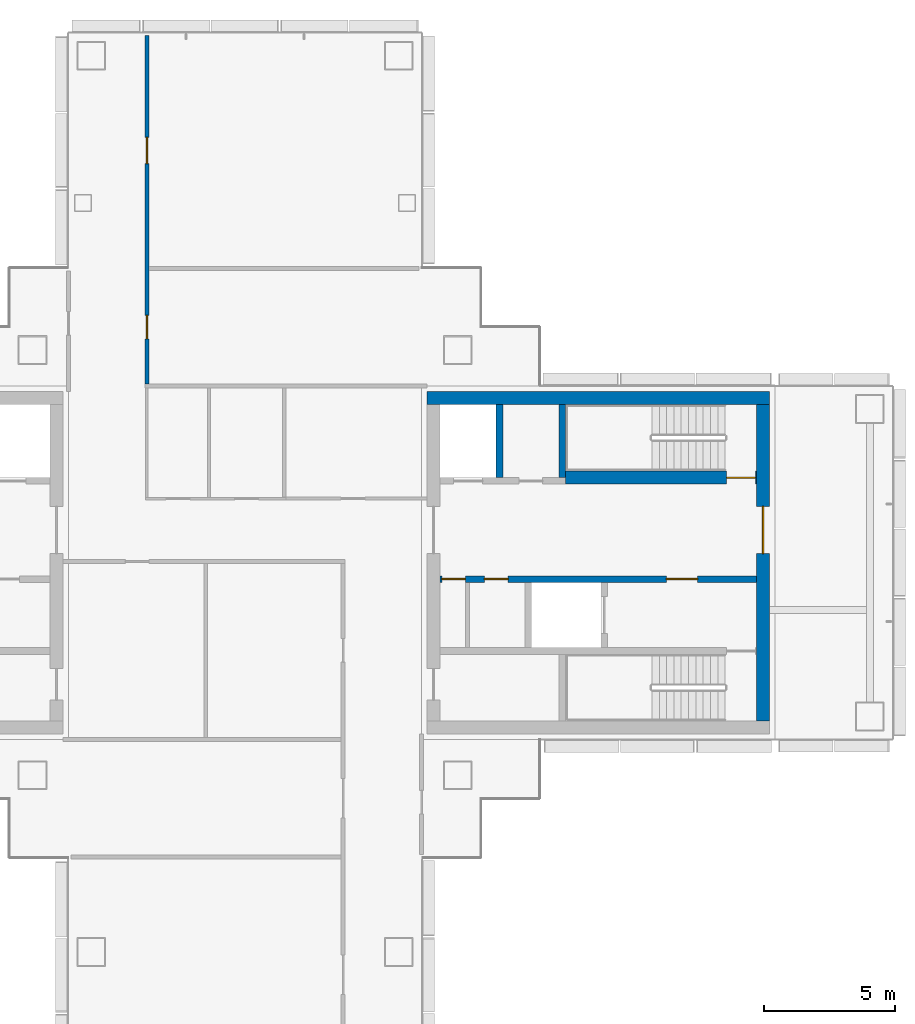
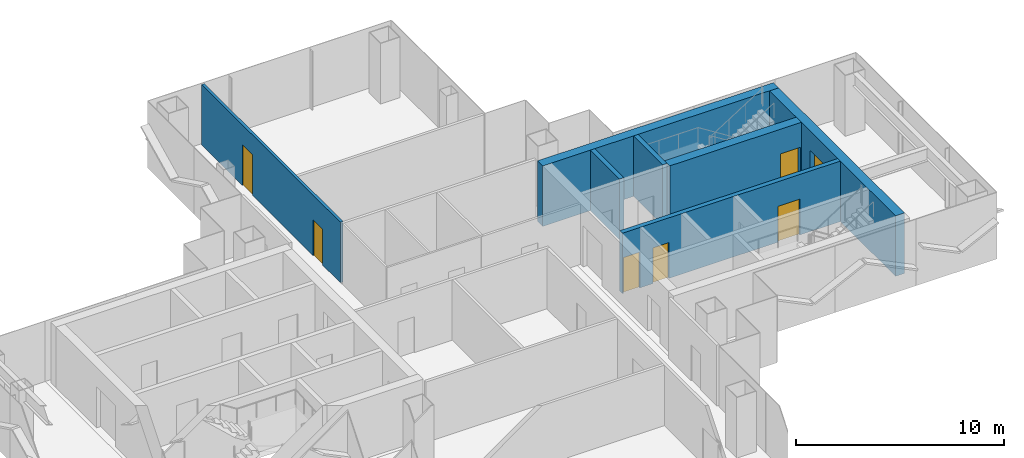
# One storey, part 12 of 16: 7 doors, 7 walls, 7 openings.
"""IFC4 building model written with IfcOpenShell, lengths in metres."""

import ifcopenshell
import ifcopenshell.guid

model = None  # the IFC model being written
_history = None  # IfcOwnerHistory: only IFC2X3 demands one
_inside = {}  # id of a spatial element -> (the spatial element, [elements in it])
_under = {}  # id of a project, library or spatial element -> (it, [spatial elements below it])
_declared = {}  # id of a project -> (the project, [libraries it declares])
_typed = {}  # id of a type object -> (the type object, [elements of that type])
_made_of = {}  # id of a material, layer set ... -> (it, [elements and type objects made of it])


def new_model(schema):
    """Start an empty IFC model of exactly this schema.

    Asked for "IFC4X3", IfcOpenShell would pick the latest addendum, in which some entities
    have other attributes; the version numbers below select the first issue.
    IFC2X3 requires an IfcOwnerHistory on every rooted entity: one is made here for all.
    """
    global model, _history
    if schema == "IFC4X3":
        model = ifcopenshell.file(schema_version=(4, 3, 0, 0))
    else:
        model = ifcopenshell.file(schema=schema)
    _inside.clear()
    _under.clear()
    _declared.clear()
    _typed.clear()
    _made_of.clear()
    _history = None
    if model.schema == "IFC2X3":
        org = make("IfcOrganization", Name="unknown")
        user = make(
            "IfcPersonAndOrganization",
            ThePerson=make("IfcPerson", FamilyName="unknown"),
            TheOrganization=org,
        )
        app = make(
            "IfcApplication",
            ApplicationDeveloper=org,
            Version="unknown",
            ApplicationFullName="unknown",
            ApplicationIdentifier="unknown",
        )
        _history = make(
            "IfcOwnerHistory",
            OwningUser=user,
            OwningApplication=app,
            ChangeAction="ADDED",
            CreationDate=0,
        )
    return model


def make(cls, **values):
    """One entity of the class cls with the attributes given. An attribute that is None is left unset."""
    return model.create_entity(
        cls, **{name: value for name, value in values.items() if value is not None}
    )


def rooted(cls, **values):
    """An entity with a GlobalId (a new one), such as an element, a storey or a relation."""
    return make(cls, GlobalId=ifcopenshell.guid.new(), OwnerHistory=_history, **values)


def si_unit(unit_type, name, prefix=None):
    """IfcSIUnit, for example si_unit("LENGTHUNIT", "METRE", prefix="MILLI")."""
    return make("IfcSIUnit", UnitType=unit_type, Prefix=prefix, Name=name)


def assignment(units):
    """IfcUnitAssignment: the units of a project."""
    return None if units is None else make("IfcUnitAssignment", Units=units)


def point(xyz):
    """IfcCartesianPoint."""
    return None if xyz is None else make("IfcCartesianPoint", Coordinates=xyz)


def direction(xyz):
    """IfcDirection."""
    return None if xyz is None else make("IfcDirection", DirectionRatios=xyz)


def frame(location, z_axis=None, x_axis=None):
    """IfcAxis2Placement3D, a coordinate frame: its origin and axes. An axis left out is left unset."""
    return make(
        "IfcAxis2Placement3D",
        Location=point(location),
        Axis=direction(z_axis),
        RefDirection=direction(x_axis),
    )


def frame_2d(location, x_axis=None):
    """IfcAxis2Placement2D, a coordinate frame in the plane: its origin and x axis."""
    return make(
        "IfcAxis2Placement2D", Location=point(location), RefDirection=direction(x_axis)
    )


def origin():
    """The frame at (0, 0, 0) with its axes left unset."""
    return frame((0.0, 0.0, 0.0))


def place(relative_to, where):
    """IfcLocalPlacement: puts the frame where relative to a parent placement (None: the world)."""
    return make(
        "IfcLocalPlacement", PlacementRelTo=relative_to, RelativePlacement=where
    )


def context(
    kind, dimensions, precision=None, world=None, true_north=None, identifier=None
):
    """IfcGeometricRepresentationContext, for example the 3D "Model" context."""
    return make(
        "IfcGeometricRepresentationContext",
        ContextIdentifier=identifier,
        ContextType=kind,
        CoordinateSpaceDimension=dimensions,
        Precision=precision,
        WorldCoordinateSystem=world,
        TrueNorth=true_north,
    )


def subcontext(parent, identifier, kind, view, scale=None):
    """IfcGeometricRepresentationSubContext, for example "Body" below "Model"."""
    return make(
        "IfcGeometricRepresentationSubContext",
        ContextIdentifier=identifier,
        ContextType=kind,
        ParentContext=parent,
        TargetScale=scale,
        TargetView=view,
    )


def project(units=None, contexts=None):
    """IfcProject with its units and contexts."""
    return rooted(
        "IfcProject",
        Name="project",
        RepresentationContexts=contexts,
        UnitsInContext=assignment(units),
    )


def spatial(cls, under=None, at=None, **own):
    """A site, building, storey or space (cls), placed at a placement, below another one or the project."""
    s = rooted(cls, ObjectPlacement=at, **own)
    if under is not None:
        _under.setdefault(under.id(), (under, []))[1].append(s)
    return s


def profile(cls, at=None, kind="AREA", **sizes):
    """A parametric profile (cls). Its sizes go by their IFC names, for example OverallWidth=200.0."""
    return make(cls, ProfileType=kind, Position=at, **sizes)


def rectangle(**sizes):
    """IfcRectangleProfileDef."""
    return profile("IfcRectangleProfileDef", **sizes)


def extrude(swept, where, along, depth):
    """IfcExtrudedAreaSolid: the profile swept, set in the frame where, extruded along a direction by depth."""
    return make(
        "IfcExtrudedAreaSolid",
        SweptArea=swept,
        Position=where,
        ExtrudedDirection=direction(along),
        Depth=depth,
    )


def shape(context_of_items, identifier, shape_type, items):
    """IfcShapeRepresentation: the items that make up one representation, for example the "Body"."""
    return make(
        "IfcShapeRepresentation",
        ContextOfItems=context_of_items,
        RepresentationIdentifier=identifier,
        RepresentationType=shape_type,
        Items=items,
    )


def material(Name=None, Category=None):
    """IfcMaterial."""
    return make("IfcMaterial", Name=Name, Category=Category)


def layer(
    of_material, thickness, ventilated=None, Name=None, Category=None, Priority=None
):
    """IfcMaterialLayer: one layer of a wall or slab, of a material (None: an air gap)."""
    return make(
        "IfcMaterialLayer",
        Material=of_material,
        LayerThickness=thickness,
        IsVentilated=ventilated,
        Name=Name,
        Category=Category,
        Priority=Priority,
    )


def layer_set(layers, Name=None):
    """IfcMaterialLayerSet."""
    return make("IfcMaterialLayerSet", MaterialLayers=layers, LayerSetName=Name)


def made_of(thing, what):
    """Note that an element or type object is made of a material, layer set ...; save() writes the relation."""
    if what is not None:
        _made_of.setdefault(what.id(), (what, []))[1].append(thing)
    return thing


def type_object(cls, material=None, **own):
    """A type object (cls), such as IfcWallType, which elements share."""
    return made_of(rooted(cls, **own), material)


def element(
    cls,
    number,
    at=None,
    inside=None,
    cuts=None,
    type_object=None,
    material=None,
    context=None,
    identifier="Body",
    shape_type=None,
    held_by="IfcProductDefinitionShape",
    body=None,
    shapes=None,
    **own,
):
    """One element of the class cls, such as IfcWall. Its Tag is "e" and its number.

    at: its placement. inside: the storey or other place that contains it. cuts: it is an
    opening in that element (IfcRelVoidsElement). A single representation is given by context,
    identifier, shape_type and body (its items); several are given by shapes. held_by: the class
    of the entity that holds the representations. save() writes the other relations.
    """
    e = rooted(cls, Tag="e%d" % number, ObjectPlacement=at, **own)
    if body is not None:
        shapes = [shape(context, identifier, shape_type, body)]
    if shapes is not None:
        e.Representation = make(held_by, Representations=shapes)
    if inside is not None:
        _inside.setdefault(inside.id(), (inside, []))[1].append(e)
    if cuts is not None:
        rooted(
            "IfcRelVoidsElement", RelatingBuildingElement=cuts, RelatedOpeningElement=e
        )
    if type_object is not None:
        _typed.setdefault(type_object.id(), (type_object, []))[1].append(e)
    return made_of(e, material)


def fill(opening, filler):
    """IfcRelFillsElement: the door or window that sits in an opening."""
    return rooted(
        "IfcRelFillsElement",
        RelatingOpeningElement=opening,
        RelatedBuildingElement=filler,
    )


def aggregate(whole, parts):
    """IfcRelAggregates: a whole, such as a stair, and the parts it consists of."""
    return rooted("IfcRelAggregates", RelatingObject=whole, RelatedObjects=parts)


def save(model, path):
    """Write the relations noted so far, then the file.

    IfcRelAggregates (storeys below a building ...), IfcRelContainedInSpatialStructure (elements
    in a storey), IfcRelDefinesByType, IfcRelAssociatesMaterial and IfcRelDeclares: one each for
    every whole, place, type object, material and project.
    """
    for whole, parts in _under.values():
        aggregate(whole, parts)
    for where, things in _inside.values():
        rooted(
            "IfcRelContainedInSpatialStructure",
            RelatedElements=things,
            RelatingStructure=where,
        )
    for kind, things in _typed.values():
        rooted("IfcRelDefinesByType", RelatedObjects=things, RelatingType=kind)
    for what, things in _made_of.values():
        rooted("IfcRelAssociatesMaterial", RelatedObjects=things, RelatingMaterial=what)
    for by, libraries in _declared.values():
        rooted("IfcRelDeclares", RelatingContext=by, RelatedDefinitions=libraries)
    model.write(path)


model = new_model("IFC4")

# Units and contexts
model_context = context("Model", 3, precision=1e-05, world=origin(), true_north=direction((0.0, 1.0)))
body_context = subcontext(model_context, "Body", "Model", "MODEL_VIEW")
ifc_project = project(units=[si_unit("LENGTHUNIT", "METRE"), si_unit("AREAUNIT", "SQUARE_METRE"), si_unit("VOLUMEUNIT", "CUBIC_METRE"), si_unit("PLANEANGLEUNIT", "RADIAN"), si_unit("MASSUNIT", "GRAM", prefix="KILO")], contexts=[model_context])

# Site, building, storey
site_placement = place(None, origin())
site = spatial("IfcSite", under=ifc_project, at=site_placement, CompositionType="ELEMENT")
building_placement = place(site_placement, origin())
building = spatial("IfcBuilding", under=site, at=building_placement, Name="Shamsa Quay Exchange Towers", CompositionType="ELEMENT")
storey_placement = place(building_placement, frame((0.0, 0.0, 162.300048828125)))
storey = spatial("IfcBuildingStorey", under=building, at=storey_placement, Name="L38", CompositionType="ELEMENT", Elevation=162.300048828125)

# Wall
ifc_material_1 = material(Name="Concrete C60/75", Category="concrete")
ifc_layer_1 = layer(ifc_material_1, 0.5)
ifc_layer_set_1 = layer_set([ifc_layer_1], Name="CORE WALL 500 C60/75")
wall_type_1 = type_object("IfcWallType", Name="CORE WALL 500 C60/75", PredefinedType="SHEAR", material=ifc_layer_set_1)
wall_1_placement = place(storey_placement, frame((53.800048828125, 6.300048828125, 0.0), z_axis=(0.0, 0.0, 1.0), x_axis=(-1.0, 0.0, 0.0)))
element("IfcWall", 1, at=wall_1_placement, inside=storey, type_object=wall_type_1, Name="Core wall T2B-R18-PN", PredefinedType="SHEAR", context=body_context, shape_type="SweptSolid", body=[
    extrude(rectangle(XDim=13.10009765625, YDim=0.5, at=frame_2d((6.550048828125, 0.0))), origin(), (0.0, 0.0, 1.0), 3.550048828125),
])

# Wall, opening, door
wall_2_placement = place(storey_placement, frame((53.550048828125, -6.050048828125, 0.0), z_axis=(0.0, 0.0, 1.0), x_axis=(0.0, 1.0, 0.0)))
wall_2 = element("IfcWall", 2, at=wall_2_placement, inside=storey, type_object=wall_type_1, Name="Core wall T2B-R18-PF", PredefinedType="SHEAR", context=body_context, shape_type="SweptSolid", body=[
    extrude(rectangle(XDim=12.10009765625, YDim=0.5, at=frame_2d((6.050048828125, 0.0))), origin(), (0.0, 0.0, 1.0), 3.550048828125),
])
opening_1_placement = place(wall_2_placement, frame((6.39990234375, 0.0, 0.0)))
opening_1 = element("IfcOpeningElement", 3, at=opening_1_placement, cuts=wall_2, Name="Opening T2B-R18-LBD01", PredefinedType="OPENING", context=body_context, shape_type="SweptSolid", body=[
    extrude(rectangle(XDim=1.800048828125, YDim=2.39990234375, at=frame_2d((0.89990234375, 1.199951171875))), frame((0.0, 0.260009765625, 0.0), z_axis=(0.0, -1.0, 0.0), x_axis=(1.0, 0.0, 0.0)), (0.0, 0.0, 1.0), 0.52001953125),
])
ifc_material_2 = material(Name="Steel, fire rated", Category="steel")
door_type_1 = type_object("IfcDoorType", Name="LIFT LOBBY DOOR PAIR 1800", OperationType="DOUBLE_DOOR_SINGLE_SWING", PredefinedType="DOOR", material=ifc_material_2)
door_1_placement = place(opening_1_placement, origin())
door_1 = element("IfcDoor", 4, at=door_1_placement, inside=storey, type_object=door_type_1, Name="T2B-R18-LBD01", OperationType="DOUBLE_DOOR_SINGLE_SWING", OverallHeight=2.39990234375, OverallWidth=1.800048828125, PredefinedType="DOOR", context=body_context, shape_type="SweptSolid", body=[
    extrude(rectangle(XDim=1.800048828125, YDim=2.39990234375, at=frame_2d((0.89990234375, 1.199951171875))), frame((0.0, 0.02490234375, 0.0), z_axis=(0.0, -1.0, 0.0), x_axis=(1.0, 0.0, 0.0)), (0.0, 0.0, 1.0), 0.050048828125),
])
fill(opening_1, door_1)

# Wall, openings, doors
ifc_material_3 = material(Name="Gypsum board partition on metal studs")
ifc_layer_2 = layer(ifc_material_3, 0.14990234375)
ifc_layer_set_2 = layer_set([ifc_layer_2], Name="Partition 150 mm EI 60")
wall_type_2 = type_object("IfcWallType", Name="Partition 150 mm EI 60", PredefinedType="PARTITIONING", material=ifc_layer_set_2)
wall_3_placement = place(storey_placement, frame((30.0, 20.155029296875, 0.0), z_axis=(0.0, 0.0, 1.0), x_axis=(0.0, -1.0, 0.0)))
wall_3 = element("IfcWall", 5, at=wall_3_placement, inside=storey, type_object=wall_type_2, Name="Partition T2-R18-W01", PredefinedType="PARTITIONING", context=body_context, shape_type="SweptSolid", body=[
    extrude(rectangle(XDim=13.330078125, YDim=0.14990234375, at=frame_2d((6.6650390625, 0.0))), origin(), (0.0, 0.0, 1.0), 3.550048828125),
])
opening_2_placement = place(wall_3_placement, frame((10.705078125, 0.0, 0.0)))
opening_2 = element("IfcOpeningElement", 6, at=opening_2_placement, cuts=wall_3, Name="Opening T2-R18-D08", PredefinedType="OPENING", context=body_context, shape_type="SweptSolid", body=[
    extrude(rectangle(XDim=0.89990234375, YDim=2.10009765625, at=frame_2d((0.449951171875, 1.050048828125))), frame((0.0, 0.0849609375, 0.0), z_axis=(0.0, -1.0, 0.0), x_axis=(1.0, 0.0, 0.0)), (0.0, 0.0, 1.0), 0.169921875),
])
opening_3_placement = place(wall_3_placement, frame((3.905029296875, 0.0, 0.0)))
opening_3 = element("IfcOpeningElement", 7, at=opening_3_placement, cuts=wall_3, Name="Opening T2-R18-D09", PredefinedType="OPENING", context=body_context, shape_type="SweptSolid", body=[
    extrude(rectangle(XDim=1.0, YDim=2.39990234375, at=frame_2d((0.5, 1.199951171875))), frame((0.0, 0.0849609375, 0.0), z_axis=(0.0, -1.0, 0.0), x_axis=(1.0, 0.0, 0.0)), (0.0, 0.0, 1.0), 0.169921875),
])
ifc_material_4 = material(Name="Timber door leaf in a metal frame", Category="wood")
door_type_2 = type_object("IfcDoorType", Name="Door 1000x2400 FD30S", OperationType="NOTDEFINED", PredefinedType="DOOR", material=ifc_material_4)
door_2_placement = place(opening_3_placement, origin())
door_2 = element("IfcDoor", 8, at=door_2_placement, inside=storey, type_object=door_type_2, Name="Door T2-R18-D09", OperationType="SINGLE_SWING_RIGHT", OverallHeight=2.39990234375, OverallWidth=1.0, PredefinedType="DOOR", context=body_context, shape_type="SweptSolid", body=[
    extrude(rectangle(XDim=1.0, YDim=2.39990234375, at=frame_2d((0.5, 1.199951171875))), frame((0.0, 0.02490234375, 0.0), z_axis=(0.0, -1.0, 0.0), x_axis=(1.0, 0.0, 0.0)), (0.0, 0.0, 1.0), 0.050048828125),
])
fill(opening_3, door_2)
door_type_3 = type_object("IfcDoorType", Name="Door 900x2100 FD30S", OperationType="NOTDEFINED", PredefinedType="DOOR", material=ifc_material_4)
door_3_placement = place(opening_2_placement, origin())
door_3 = element("IfcDoor", 9, at=door_3_placement, inside=storey, type_object=door_type_3, Name="Door T2-R18-D08", OperationType="SINGLE_SWING_LEFT", OverallHeight=2.10009765625, OverallWidth=0.89990234375, PredefinedType="DOOR", context=body_context, shape_type="SweptSolid", body=[
    extrude(rectangle(XDim=0.89990234375, YDim=2.10009765625, at=frame_2d((0.449951171875, 1.050048828125))), frame((0.0, 0.02490234375, 0.0), z_axis=(0.0, -1.0, 0.0), x_axis=(1.0, 0.0, 0.0)), (0.0, 0.0, 1.0), 0.050048828125),
])
fill(opening_2, door_3)

ifc_material_5 = material(Name="Concrete C50/60", Category="concrete")
ifc_layer_3 = layer(ifc_material_5, 0.25)
ifc_layer_set_3 = layer_set([ifc_layer_3], Name="SHAFT WALL 250 C50/60")
wall_type_3 = type_object("IfcWallType", Name="SHAFT WALL 250 C50/60", PredefinedType="SHEAR", material=ifc_layer_set_3)
wall_4_placement = place(storey_placement, frame((53.300048828125, -0.625, 0.0), z_axis=(0.0, 0.0, 1.0), x_axis=(-1.0, 0.0, 0.0)))
wall_4 = element("IfcWall", 10, at=wall_4_placement, inside=storey, type_object=wall_type_3, Name="Shaft wall T2B-R18-B", PredefinedType="SHEAR", context=body_context, shape_type="SweptSolid", body=[
    extrude(rectangle(XDim=12.10009765625, YDim=0.25, at=frame_2d((6.050048828125, 0.0))), origin(), (0.0, 0.0, 1.0), 3.550048828125),
])
opening_4_placement = place(wall_4_placement, frame((2.25, 0.0, 0.0)))
opening_4 = element("IfcOpeningElement", 11, at=opening_4_placement, cuts=wall_4, Name="Opening T2B-R18-FD05", PredefinedType="OPENING", context=body_context, shape_type="SweptSolid", body=[
    extrude(rectangle(XDim=1.199951171875, YDim=2.10009765625, at=frame_2d((0.60009765625, 1.050048828125))), frame((0.0, 0.135009765625, 0.0), z_axis=(0.0, -1.0, 0.0), x_axis=(1.0, 0.0, 0.0)), (0.0, 0.0, 1.0), 0.27001953125),
])
opening_5_placement = place(wall_4_placement, frame((9.5, 0.0, 0.0)))
opening_5 = element("IfcOpeningElement", 12, at=opening_5_placement, cuts=wall_4, Name="Opening T2B-R18-SV06", PredefinedType="OPENING", context=body_context, shape_type="SweptSolid", body=[
    extrude(rectangle(XDim=0.89990234375, YDim=2.10009765625, at=frame_2d((0.449951171875, 1.050048828125))), frame((0.0, 0.135009765625, 0.0), z_axis=(0.0, -1.0, 0.0), x_axis=(1.0, 0.0, 0.0)), (0.0, 0.0, 1.0), 0.27001953125),
])
opening_6_placement = place(wall_4_placement, frame((11.125, 0.0, 0.0)))
opening_6 = element("IfcOpeningElement", 13, at=opening_6_placement, cuts=wall_4, Name="Opening T2B-R18-SV07", PredefinedType="OPENING", context=body_context, shape_type="SweptSolid", body=[
    extrude(rectangle(XDim=0.89990234375, YDim=2.10009765625, at=frame_2d((0.449951171875, 1.050048828125))), frame((0.0, 0.135009765625, 0.0), z_axis=(0.0, -1.0, 0.0), x_axis=(1.0, 0.0, 0.0)), (0.0, 0.0, 1.0), 0.27001953125),
])
door_type_4 = type_object("IfcDoorType", Name="FIRE SERVICE LOBBY DOOR 1200", OperationType="SINGLE_SWING_LEFT", PredefinedType="DOOR", material=ifc_material_2)
door_4_placement = place(opening_4_placement, origin())
door_4 = element("IfcDoor", 14, at=door_4_placement, inside=storey, type_object=door_type_4, Name="T2B-R18-FD05", OperationType="SINGLE_SWING_LEFT", OverallHeight=2.10009765625, OverallWidth=1.199951171875, PredefinedType="DOOR", context=body_context, shape_type="SweptSolid", body=[
    extrude(rectangle(XDim=1.199951171875, YDim=2.10009765625, at=frame_2d((0.60009765625, 1.050048828125))), frame((0.0, 0.02490234375, 0.0), z_axis=(0.0, -1.0, 0.0), x_axis=(1.0, 0.0, 0.0)), (0.0, 0.0, 1.0), 0.050048828125),
])
fill(opening_4, door_4)
door_type_5 = type_object("IfcDoorType", Name="SERVICE ROOM DOOR 900", OperationType="SINGLE_SWING_LEFT", PredefinedType="DOOR", material=ifc_material_2)
door_5_placement = place(opening_5_placement, origin())
door_5 = element("IfcDoor", 15, at=door_5_placement, inside=storey, type_object=door_type_5, Name="T2B-R18-SV06", OperationType="SINGLE_SWING_RIGHT", OverallHeight=2.10009765625, OverallWidth=0.89990234375, PredefinedType="DOOR", context=body_context, shape_type="SweptSolid", body=[
    extrude(rectangle(XDim=0.89990234375, YDim=2.10009765625, at=frame_2d((0.449951171875, 1.050048828125))), frame((0.0, 0.02490234375, 0.0), z_axis=(0.0, -1.0, 0.0), x_axis=(1.0, 0.0, 0.0)), (0.0, 0.0, 1.0), 0.050048828125),
])
fill(opening_5, door_5)
door_6_placement = place(opening_6_placement, origin())
door_6 = element("IfcDoor", 16, at=door_6_placement, inside=storey, type_object=door_type_5, Name="T2B-R18-SV07", OperationType="SINGLE_SWING_RIGHT", OverallHeight=2.10009765625, OverallWidth=0.89990234375, PredefinedType="DOOR", context=body_context, shape_type="SweptSolid", body=[
    extrude(rectangle(XDim=0.89990234375, YDim=2.10009765625, at=frame_2d((0.449951171875, 1.050048828125))), frame((0.0, 0.02490234375, 0.0), z_axis=(0.0, -1.0, 0.0), x_axis=(1.0, 0.0, 0.0)), (0.0, 0.0, 1.0), 0.050048828125),
])
fill(opening_6, door_6)

# Walls
for number, where, z_axis, x_axis, name in (
    (17, (45.875, 3.25, 0.0), (0.0, 0.0, 1.0), (0.0, 1.0, 0.0), "Shaft wall T2B-R18-STF2"),
    (18, (43.47509765625, 3.25, 0.0), (0.0, 0.0, 1.0), (0.0, 1.0, 0.0), "Shaft wall T2B-R18-D0"),
):
    element("IfcWall", number, at=place(storey_placement, frame(where, z_axis=z_axis, x_axis=x_axis)), inside=storey, type_object=wall_type_3, Name=name, PredefinedType="SHEAR", context=body_context, shape_type="SweptSolid", body=[
        extrude(rectangle(XDim=2.800048828125, YDim=0.25, at=frame_2d((1.39990234375, 0.0))), origin(), (0.0, 0.0, 1.0), 3.550048828125),
    ])

# Wall, opening, door
ifc_layer_4 = layer(ifc_material_5, 0.5)
ifc_layer_set_4 = layer_set([ifc_layer_4], Name="SHAFT WALL 500 C50/60")
wall_type_4 = type_object("IfcWallType", Name="SHAFT WALL 500 C50/60", PredefinedType="SHEAR", material=ifc_layer_set_4)
wall_5_placement = place(storey_placement, frame((46.0, 3.25, 0.0)))
wall_5 = element("IfcWall", 19, at=wall_5_placement, inside=storey, type_object=wall_type_4, Name="Shaft wall T2B-R18-N", PredefinedType="SHEAR", context=body_context, shape_type="SweptSolid", body=[
    extrude(rectangle(XDim=7.300048828125, YDim=0.5, at=frame_2d((3.64990234375, 0.0))), origin(), (0.0, 0.0, 1.0), 3.550048828125),
])
opening_7_placement = place(wall_5_placement, frame((6.14990234375, 0.0, 0.0)))
opening_7 = element("IfcOpeningElement", 20, at=opening_7_placement, cuts=wall_5, Name="Opening T2B-R18-SD09", PredefinedType="OPENING", context=body_context, shape_type="SweptSolid", body=[
    extrude(rectangle(XDim=1.10009765625, YDim=2.10009765625, at=frame_2d((0.550048828125, 1.050048828125))), frame((0.0, 0.260009765625, 0.0), z_axis=(0.0, -1.0, 0.0), x_axis=(1.0, 0.0, 0.0)), (0.0, 0.0, 1.0), 0.52001953125),
])
door_type_6 = type_object("IfcDoorType", Name="STAIR DOOR 1100", OperationType="SINGLE_SWING_LEFT", PredefinedType="DOOR", material=ifc_material_2)
door_7_placement = place(opening_7_placement, origin())
door_7 = element("IfcDoor", 21, at=door_7_placement, inside=storey, type_object=door_type_6, Name="T2B-R18-SD09", OperationType="SINGLE_SWING_RIGHT", OverallHeight=2.10009765625, OverallWidth=1.10009765625, PredefinedType="DOOR", context=body_context, shape_type="SweptSolid", body=[
    extrude(rectangle(XDim=1.10009765625, YDim=2.10009765625, at=frame_2d((0.550048828125, 1.050048828125))), frame((0.0, 0.02490234375, 0.0), z_axis=(0.0, -1.0, 0.0), x_axis=(1.0, 0.0, 0.0)), (0.0, 0.0, 1.0), 0.050048828125),
])
fill(opening_7, door_7)

save(model, "model.ifc")
